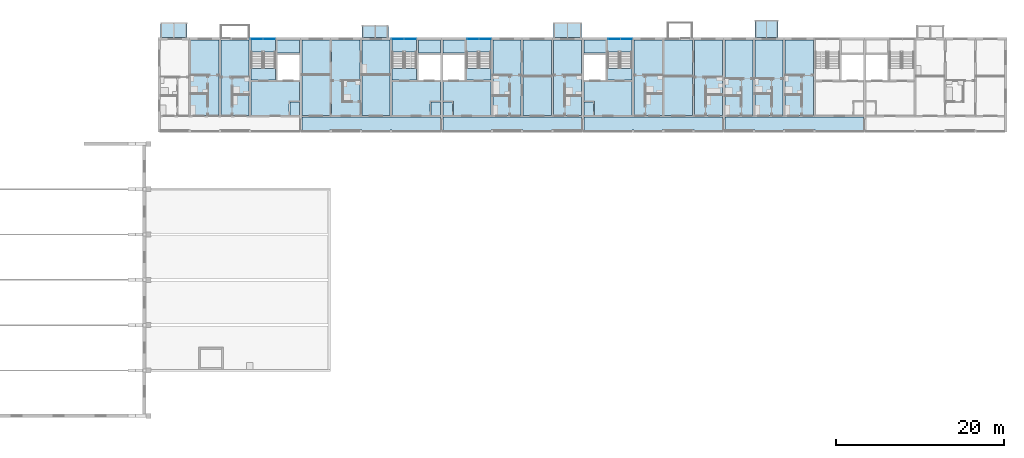
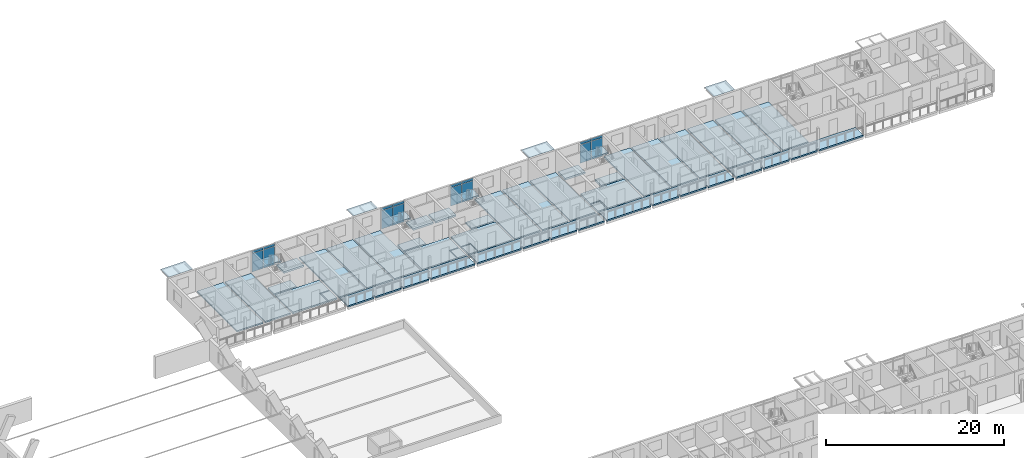
# One storey, part 38 of 115: 42 slabs, 16 plates, 8 elements without a shape of their own.
"""IFC4 building model written with IfcOpenShell, lengths in metres."""

from ifc_helpers import new_model, si_unit, direction, frame, origin, origin_2d, place, context, subcontext, project, spatial, polyline, rectangle, outline, extrude, material, layer, layer_set, type_object, element, aggregate, save


model = new_model("IFC4")

# Units and contexts
model_context = context("Model", 3, precision=1e-05, world=origin(), true_north=direction((0.0, 1.0)))
body_context = subcontext(model_context, "Body", "Model", "MODEL_VIEW")
ifc_project = project(units=[si_unit("LENGTHUNIT", "METRE"), si_unit("AREAUNIT", "SQUARE_METRE"), si_unit("VOLUMEUNIT", "CUBIC_METRE"), si_unit("PLANEANGLEUNIT", "RADIAN"), si_unit("MASSUNIT", "GRAM", prefix="KILO")], contexts=[model_context])

# Site, building, storey
site_placement = place(None, origin())
site = spatial("IfcSite", under=ifc_project, at=site_placement, CompositionType="ELEMENT")
building_placement = place(site_placement, origin())
building = spatial("IfcBuilding", under=site, at=building_placement, Name="Ridgestep Commons", CompositionType="ELEMENT")
storey_placement = place(building_placement, frame((0.0, 0.0, 6.0)))
storey = spatial("IfcBuildingStorey", under=building, at=storey_placement, Name="L02", CompositionType="ELEMENT", Elevation=6.0)

# Slabs
ifc_material_1 = material(Name="Precast concrete C40/50", Category="concrete")
ifc_layer_1 = layer(ifc_material_1, 0.199951171875)
ifc_layer_set_1 = layer_set([ifc_layer_1], Name="Gallery slab 200")
slab_type_1 = type_object("IfcSlabType", Name="Gallery slab 200", PredefinedType="FLOOR", material=ifc_layer_set_1)
slab_1_placement = place(storey_placement, frame((0.0, 0.0, -0.199951171875)))
element("IfcSlab", 1, at=slab_1_placement, inside=storey, type_object=slab_type_1, Name="Gallery slab C2 L02", PredefinedType="FLOOR", context=body_context, shape_type="SweptSolid", body=[
    extrude(outline(polyline([(180.25, 67.800048828125), (163.75, 67.800048828125), (163.75, 66.0), (167.074951171875, 66.0), (167.074951171875, 66.25), (167.324951171875, 66.25), (167.324951171875, 66.0), (170.675048828125, 66.0), (170.675048828125, 66.25), (170.925048828125, 66.25), (170.925048828125, 66.0), (174.27490234375, 66.0), (174.27490234375, 66.25), (174.52490234375, 66.25), (174.52490234375, 66.0), (180.25, 66.0), (180.25, 67.800048828125)])), origin(), (0.0, 0.0, 1.0), 0.199951171875),
])
slab_2_placement = place(storey_placement, frame((0.0, 0.0, -0.199951171875)))
element("IfcSlab", 2, at=slab_2_placement, inside=storey, type_object=slab_type_1, Name="Gallery slab C3 L02", PredefinedType="FLOOR", context=body_context, shape_type="SweptSolid", body=[
    extrude(outline(polyline([(197.050048828125, 67.800048828125), (180.550048828125, 67.800048828125), (180.550048828125, 66.0), (186.27490234375, 66.0), (186.27490234375, 66.25), (186.52490234375, 66.25), (186.52490234375, 66.0), (189.875, 66.0), (189.875, 66.25), (190.125, 66.25), (190.125, 66.0), (193.47509765625, 66.0), (193.47509765625, 66.25), (193.72509765625, 66.25), (193.72509765625, 66.0), (197.050048828125, 66.0), (197.050048828125, 67.800048828125)])), origin(), (0.0, 0.0, 1.0), 0.199951171875),
])
slab_3_placement = place(storey_placement, frame((0.0, 0.0, -0.199951171875)))
element("IfcSlab", 3, at=slab_3_placement, inside=storey, type_object=slab_type_1, Name="Gallery slab C4 L02", PredefinedType="FLOOR", context=body_context, shape_type="SweptSolid", body=[
    extrude(outline(polyline([(213.85009765625, 67.800048828125), (197.35009765625, 67.800048828125), (197.35009765625, 66.0), (203.074951171875, 66.0), (203.074951171875, 66.25), (203.324951171875, 66.25), (203.324951171875, 66.0), (206.675048828125, 66.0), (206.675048828125, 66.25), (206.925048828125, 66.25), (206.925048828125, 66.0), (210.27490234375, 66.0), (210.27490234375, 66.25), (210.52490234375, 66.25), (210.52490234375, 66.0), (213.85009765625, 66.0), (213.85009765625, 67.800048828125)])), origin(), (0.0, 0.0, 1.0), 0.199951171875),
])
slab_4_placement = place(storey_placement, frame((0.0, 0.0, -0.199951171875)))
element("IfcSlab", 4, at=slab_4_placement, inside=storey, type_object=slab_type_1, Name="Gallery slab C5 L02", PredefinedType="FLOOR", context=body_context, shape_type="SweptSolid", body=[
    extrude(outline(polyline([(230.64990234375, 67.800048828125), (214.14990234375, 67.800048828125), (214.14990234375, 66.0), (217.47509765625, 66.0), (217.47509765625, 66.25), (217.72509765625, 66.25), (217.72509765625, 66.0), (221.074951171875, 66.0), (221.074951171875, 66.25), (221.324951171875, 66.25), (221.324951171875, 66.0), (224.675048828125, 66.0), (224.675048828125, 66.25), (224.925048828125, 66.25), (224.925048828125, 66.0), (230.64990234375, 66.0), (230.64990234375, 67.800048828125)])), origin(), (0.0, 0.0, 1.0), 0.199951171875),
])

# Curtain wall, plates
ifc_material_2 = material(Name="Aluminium 6063-T6 and glass", Category="aluminium")
curtain_wall_type = type_object("IfcCurtainWallType", Name="Curtain wall stair strip", PredefinedType="NOTDEFINED", material=ifc_material_2)
curtain_wall_1_placement = place(storey_placement, origin())
curtain_wall_1 = element("IfcCurtainWall", 5, at=curtain_wall_1_placement, inside=storey, type_object=curtain_wall_type, Name="Curtain wall C1C level 02", PredefinedType="NOTDEFINED")
ifc_material_3 = material(Name="Glass laminated 6/16/6 low-emissivity", Category="glass")
ifc_layer_2 = layer(ifc_material_3, 0.028076171875)
ifc_layer_set_2 = layer_set([ifc_layer_2], Name="Glazing panel 28")
plate_type_1 = type_object("IfcPlateType", Name="Glazing panel 28", PredefinedType="CURTAIN_PANEL", material=ifc_layer_set_2)
plate_1_placement = place(storey_placement, frame((158.371337890625, 77.080078125, 0.06005859375), z_axis=(0.0, 0.0, 1.0), x_axis=(1.0, 0.0, 0.0)))
plate_1 = element("IfcPlate", 6, at=plate_1_placement, type_object=plate_type_1, Name="CW1 panel 1.1", PredefinedType="CURTAIN_PANEL", context=body_context, shape_type="SweptSolid", body=[
    extrude(rectangle(XDim=1.422607421875, YDim=0.028076171875, at=origin_2d()), origin(), (0.0, 0.0, 1.0), 2.5),
])
plate_2_placement = place(storey_placement, frame((159.853759765625, 77.080078125, 0.06005859375), z_axis=(0.0, 0.0, 1.0), x_axis=(1.0, 0.0, 0.0)))
plate_2 = element("IfcPlate", 7, at=plate_2_placement, type_object=plate_type_1, Name="CW1 panel 2.1", PredefinedType="CURTAIN_PANEL", context=body_context, shape_type="SweptSolid", body=[
    extrude(rectangle(XDim=1.422607421875, YDim=0.028076171875, at=origin_2d()), origin(), (0.0, 0.0, 1.0), 2.5),
])

curtain_wall_2_placement = place(storey_placement, origin())
curtain_wall_2 = element("IfcCurtainWall", 8, at=curtain_wall_2_placement, inside=storey, type_object=curtain_wall_type, Name="Curtain wall C2C level 02", PredefinedType="NOTDEFINED")
plate_3_placement = place(storey_placement, frame((175.171142578125, 77.080078125, 0.06005859375), z_axis=(0.0, 0.0, 1.0), x_axis=(1.0, 0.0, 0.0)))
plate_3 = element("IfcPlate", 9, at=plate_3_placement, type_object=plate_type_1, Name="CW1 panel 1.1", PredefinedType="CURTAIN_PANEL", context=body_context, shape_type="SweptSolid", body=[
    extrude(rectangle(XDim=1.422607421875, YDim=0.028076171875, at=origin_2d()), origin(), (0.0, 0.0, 1.0), 2.5),
])
plate_4_placement = place(storey_placement, frame((176.65380859375, 77.080078125, 0.06005859375), z_axis=(0.0, 0.0, 1.0), x_axis=(1.0, 0.0, 0.0)))
plate_4 = element("IfcPlate", 10, at=plate_4_placement, type_object=plate_type_1, Name="CW1 panel 2.1", PredefinedType="CURTAIN_PANEL", context=body_context, shape_type="SweptSolid", body=[
    extrude(rectangle(XDim=1.422607421875, YDim=0.028076171875, at=origin_2d()), origin(), (0.0, 0.0, 1.0), 2.5),
])

curtain_wall_3_placement = place(storey_placement, origin())
curtain_wall_3 = element("IfcCurtainWall", 11, at=curtain_wall_3_placement, inside=storey, type_object=curtain_wall_type, Name="Curtain wall C3C level 02", PredefinedType="NOTDEFINED")
plate_5_placement = place(storey_placement, frame((184.146240234375, 77.080078125, 0.06005859375), z_axis=(0.0, 0.0, 1.0), x_axis=(1.0, 0.0, 0.0)))
plate_5 = element("IfcPlate", 12, at=plate_5_placement, type_object=plate_type_1, Name="CW1 panel 1.1", PredefinedType="CURTAIN_PANEL", context=body_context, shape_type="SweptSolid", body=[
    extrude(rectangle(XDim=1.422607421875, YDim=0.028076171875, at=origin_2d()), origin(), (0.0, 0.0, 1.0), 2.5),
])
plate_6_placement = place(storey_placement, frame((185.628662109375, 77.080078125, 0.06005859375), z_axis=(0.0, 0.0, 1.0), x_axis=(1.0, 0.0, 0.0)))
plate_6 = element("IfcPlate", 13, at=plate_6_placement, type_object=plate_type_1, Name="CW1 panel 2.1", PredefinedType="CURTAIN_PANEL", context=body_context, shape_type="SweptSolid", body=[
    extrude(rectangle(XDim=1.422607421875, YDim=0.028076171875, at=origin_2d()), origin(), (0.0, 0.0, 1.0), 2.5),
])

curtain_wall_4_placement = place(storey_placement, origin())
curtain_wall_4 = element("IfcCurtainWall", 14, at=curtain_wall_4_placement, inside=storey, type_object=curtain_wall_type, Name="Curtain wall C4C level 02", PredefinedType="NOTDEFINED")
plate_7_placement = place(storey_placement, frame((200.9462890625, 77.080078125, 0.06005859375), z_axis=(0.0, 0.0, 1.0), x_axis=(1.0, 0.0, 0.0)))
plate_7 = element("IfcPlate", 15, at=plate_7_placement, type_object=plate_type_1, Name="CW1 panel 1.1", PredefinedType="CURTAIN_PANEL", context=body_context, shape_type="SweptSolid", body=[
    extrude(rectangle(XDim=1.422607421875, YDim=0.028076171875, at=origin_2d()), origin(), (0.0, 0.0, 1.0), 2.5),
])
plate_8_placement = place(storey_placement, frame((202.4287109375, 77.080078125, 0.06005859375), z_axis=(0.0, 0.0, 1.0), x_axis=(1.0, 0.0, 0.0)))
plate_8 = element("IfcPlate", 16, at=plate_8_placement, type_object=plate_type_1, Name="CW1 panel 2.1", PredefinedType="CURTAIN_PANEL", context=body_context, shape_type="SweptSolid", body=[
    extrude(rectangle(XDim=1.422607421875, YDim=0.028076171875, at=origin_2d()), origin(), (0.0, 0.0, 1.0), 2.5),
])

# Slabs
ifc_material_4 = material(Name="Precast concrete C50/60", Category="concrete")
ifc_layer_3 = layer(ifc_material_4, 0.199951171875)
ifc_layer_set_3 = layer_set([ifc_layer_3], Name="Hollow-core plank 200")
slab_type_2 = type_object("IfcSlabType", Name="Hollow-core plank 200", PredefinedType="FLOOR", material=ifc_layer_set_3)
slab_5_placement = place(storey_placement, frame((0.0, 0.0, -0.199951171875)))
element("IfcSlab", 17, at=slab_5_placement, inside=storey, type_object=slab_type_2, Name="Floor plank C1T2 L02", PredefinedType="FLOOR", context=body_context, shape_type="SweptSolid", body=[
    extrude(outline(polyline([(153.875, 68.0), (153.875, 77.0), (150.5, 77.0), (150.5, 68.0), (153.875, 68.0)])), origin(), (0.0, 0.0, 1.0), 0.199951171875),
])
slab_6_placement = place(storey_placement, frame((0.0, 0.0, -0.199951171875)))
element("IfcSlab", 18, at=slab_6_placement, inside=storey, type_object=slab_type_2, Name="Floor plank C1T3 L02", PredefinedType="FLOOR", context=body_context, shape_type="SweptSolid", body=[
    extrude(outline(polyline([(157.47509765625, 68.0), (157.47509765625, 77.0), (154.125, 77.0), (154.125, 68.0), (157.47509765625, 68.0)])), origin(), (0.0, 0.0, 1.0), 0.199951171875),
])
slab_7_placement = place(storey_placement, frame((0.0, 0.0, -0.199951171875)))
element("IfcSlab", 19, at=slab_7_placement, inside=storey, type_object=slab_type_2, Name="Floor plank C2T1 L02", PredefinedType="FLOOR", context=body_context, shape_type="SweptSolid", body=[
    extrude(outline(polyline([(167.10009765625, 68.0), (167.10009765625, 77.0), (163.75, 77.0), (163.75, 68.0), (167.10009765625, 68.0)])), origin(), (0.0, 0.0, 1.0), 0.199951171875),
])
slab_8_placement = place(storey_placement, frame((0.0, 0.0, -0.199951171875)))
element("IfcSlab", 20, at=slab_8_placement, inside=storey, type_object=slab_type_2, Name="Floor plank C2T2 L02", PredefinedType="FLOOR", context=body_context, shape_type="SweptSolid", body=[
    extrude(outline(polyline([(170.699951171875, 68.0), (170.699951171875, 77.0), (167.300048828125, 77.0), (167.300048828125, 68.0), (170.699951171875, 68.0)])), origin(), (0.0, 0.0, 1.0), 0.199951171875),
])
slab_9_placement = place(storey_placement, frame((0.0, 0.0, -0.199951171875)))
element("IfcSlab", 21, at=slab_9_placement, inside=storey, type_object=slab_type_2, Name="Floor plank C2T3 L02", PredefinedType="FLOOR", context=body_context, shape_type="SweptSolid", body=[
    extrude(outline(polyline([(174.27490234375, 68.0), (174.27490234375, 77.0), (170.89990234375, 77.0), (170.89990234375, 68.0), (174.27490234375, 68.0)])), origin(), (0.0, 0.0, 1.0), 0.199951171875),
])
slab_10_placement = place(storey_placement, frame((0.0, 0.0, -0.199951171875)))
element("IfcSlab", 22, at=slab_10_placement, inside=storey, type_object=slab_type_2, Name="Floor plank C3T3 L02", PredefinedType="FLOOR", context=body_context, shape_type="SweptSolid", body=[
    extrude(outline(polyline([(189.875, 68.0), (189.875, 77.0), (186.52490234375, 77.0), (186.52490234375, 68.0), (189.875, 68.0)])), origin(), (0.0, 0.0, 1.0), 0.199951171875),
])
slab_11_placement = place(storey_placement, frame((0.0, 0.0, -0.199951171875)))
element("IfcSlab", 23, at=slab_11_placement, inside=storey, type_object=slab_type_2, Name="Floor plank C3T2 L02", PredefinedType="FLOOR", context=body_context, shape_type="SweptSolid", body=[
    extrude(outline(polyline([(193.47509765625, 68.0), (193.47509765625, 77.0), (190.125, 77.0), (190.125, 68.0), (193.47509765625, 68.0)])), origin(), (0.0, 0.0, 1.0), 0.199951171875),
])
slab_12_placement = place(storey_placement, frame((0.0, 0.0, -0.199951171875)))
element("IfcSlab", 24, at=slab_12_placement, inside=storey, type_object=slab_type_2, Name="Floor plank C3T1 L02", PredefinedType="FLOOR", context=body_context, shape_type="SweptSolid", body=[
    extrude(outline(polyline([(197.050048828125, 68.0), (197.050048828125, 77.0), (193.72509765625, 77.0), (193.72509765625, 68.0), (197.050048828125, 68.0)])), origin(), (0.0, 0.0, 1.0), 0.199951171875),
])
slab_13_placement = place(storey_placement, frame((0.0, 0.0, -0.199951171875)))
element("IfcSlab", 25, at=slab_13_placement, inside=storey, type_object=slab_type_2, Name="Floor plank C4T3 L02", PredefinedType="FLOOR", context=body_context, shape_type="SweptSolid", body=[
    extrude(outline(polyline([(206.699951171875, 68.0), (206.699951171875, 77.0), (203.324951171875, 77.0), (203.324951171875, 68.0), (206.699951171875, 68.0)])), origin(), (0.0, 0.0, 1.0), 0.199951171875),
])
slab_14_placement = place(storey_placement, frame((0.0, 0.0, -0.199951171875)))
element("IfcSlab", 26, at=slab_14_placement, inside=storey, type_object=slab_type_2, Name="Floor plank C4T2 L02", PredefinedType="FLOOR", context=body_context, shape_type="SweptSolid", body=[
    extrude(outline(polyline([(210.300048828125, 68.0), (210.300048828125, 77.0), (206.89990234375, 77.0), (206.89990234375, 68.0), (210.300048828125, 68.0)])), origin(), (0.0, 0.0, 1.0), 0.199951171875),
])
slab_15_placement = place(storey_placement, frame((0.0, 0.0, -0.199951171875)))
element("IfcSlab", 27, at=slab_15_placement, inside=storey, type_object=slab_type_2, Name="Floor plank C4T1 L02", PredefinedType="FLOOR", context=body_context, shape_type="SweptSolid", body=[
    extrude(outline(polyline([(213.85009765625, 68.0), (213.85009765625, 77.0), (210.5, 77.0), (210.5, 68.0), (213.85009765625, 68.0)])), origin(), (0.0, 0.0, 1.0), 0.199951171875),
])
slab_16_placement = place(storey_placement, frame((0.0, 0.0, -0.199951171875)))
element("IfcSlab", 28, at=slab_16_placement, inside=storey, type_object=slab_type_2, Name="Floor plank C5T1 L02", PredefinedType="FLOOR", context=body_context, shape_type="SweptSolid", body=[
    extrude(outline(polyline([(217.47509765625, 68.0), (217.47509765625, 77.0), (214.14990234375, 77.0), (214.14990234375, 68.0), (217.47509765625, 68.0)])), origin(), (0.0, 0.0, 1.0), 0.199951171875),
])
slab_17_placement = place(storey_placement, frame((0.0, 0.0, -0.199951171875)))
element("IfcSlab", 29, at=slab_17_placement, inside=storey, type_object=slab_type_2, Name="Floor plank C5T2 L02", PredefinedType="FLOOR", context=body_context, shape_type="SweptSolid", body=[
    extrude(outline(polyline([(221.074951171875, 68.0), (221.074951171875, 77.0), (217.72509765625, 77.0), (217.72509765625, 68.0), (221.074951171875, 68.0)])), origin(), (0.0, 0.0, 1.0), 0.199951171875),
])
slab_18_placement = place(storey_placement, frame((0.0, 0.0, -0.199951171875)))
element("IfcSlab", 30, at=slab_18_placement, inside=storey, type_object=slab_type_2, Name="Floor plank C5T3 L02", PredefinedType="FLOOR", context=body_context, shape_type="SweptSolid", body=[
    extrude(outline(polyline([(224.675048828125, 68.0), (224.675048828125, 77.0), (221.324951171875, 77.0), (221.324951171875, 68.0), (224.675048828125, 68.0)])), origin(), (0.0, 0.0, 1.0), 0.199951171875),
])
ifc_material_5 = material(Name="Precast concrete C50/60", Category="concrete")
ifc_layer_4 = layer(ifc_material_5, 0.25)
ifc_layer_set_4 = layer_set([ifc_layer_4], Name="Hollow-core plank 250")
slab_type_3 = type_object("IfcSlabType", Name="Hollow-core plank 250", PredefinedType="FLOOR", material=ifc_layer_set_4)
slab_19_placement = place(storey_placement, frame((0.0, 0.0, -0.25)))
element("IfcSlab", 31, at=slab_19_placement, inside=storey, type_object=slab_type_3, Name="Floor plank C1C L02", PredefinedType="FLOOR", context=body_context, shape_type="SweptSolid", body=[
    extrude(outline(polyline([(162.320068359375, 69.719970703125), (163.449951171875, 69.719970703125), (163.449951171875, 72.0), (157.72509765625, 72.0), (157.72509765625, 68.0), (162.199951171875, 68.0), (162.199951171875, 69.719970703125), (162.320068359375, 69.719970703125)])), origin(), (0.0, 0.0, 1.0), 0.25),
])
slab_20_placement = place(storey_placement, frame((0.0, 0.0, -0.25)))
element("IfcSlab", 32, at=slab_20_placement, inside=storey, type_object=slab_type_3, Name="Floor plank C1C L02", PredefinedType="FLOOR", context=body_context, shape_type="SweptSolid", body=[
    extrude(outline(polyline([(163.449951171875, 75.39990234375), (163.449951171875, 77.0), (160.824951171875, 77.0), (160.824951171875, 75.39990234375), (163.449951171875, 75.39990234375)])), origin(), (0.0, 0.0, 1.0), 0.25),
])
slab_21_placement = place(storey_placement, frame((0.0, 0.0, -0.25)))
element("IfcSlab", 33, at=slab_21_placement, inside=storey, type_object=slab_type_3, Name="Floor plank C1C L02", PredefinedType="FLOOR", context=body_context, shape_type="SweptSolid", body=[
    extrude(outline(polyline([(160.625, 72.199951171875), (160.625, 73.60009765625), (157.72509765625, 73.60009765625), (157.72509765625, 72.199951171875), (160.625, 72.199951171875)])), origin(), (0.0, 0.0, 1.0), 0.25),
])
slab_22_placement = place(storey_placement, frame((0.0, 0.0, -0.25)))
element("IfcSlab", 34, at=slab_22_placement, inside=storey, type_object=slab_type_3, Name="Floor plank C1C L02", PredefinedType="FLOOR", context=body_context, shape_type="SweptSolid", body=[
    extrude(outline(polyline([(162.320068359375, 68.0), (163.449951171875, 68.0), (163.449951171875, 69.60009765625), (162.320068359375, 69.60009765625), (162.320068359375, 68.0)])), origin(), (0.0, 0.0, 1.0), 0.25),
])
slab_23_placement = place(storey_placement, frame((0.0, 0.0, -0.25)))
element("IfcSlab", 35, at=slab_23_placement, inside=storey, type_object=slab_type_3, Name="Floor plank C2C L02", PredefinedType="FLOOR", context=body_context, shape_type="SweptSolid", body=[
    extrude(outline(polyline([(179.1201171875, 69.719970703125), (180.25, 69.719970703125), (180.25, 72.0), (174.52490234375, 72.0), (174.52490234375, 68.0), (179.0, 68.0), (179.0, 69.719970703125), (179.1201171875, 69.719970703125)])), origin(), (0.0, 0.0, 1.0), 0.25),
])
slab_24_placement = place(storey_placement, frame((0.0, 0.0, -0.25)))
element("IfcSlab", 36, at=slab_24_placement, inside=storey, type_object=slab_type_3, Name="Floor plank C2C L02", PredefinedType="FLOOR", context=body_context, shape_type="SweptSolid", body=[
    extrude(outline(polyline([(180.25, 75.39990234375), (180.25, 77.0), (177.625, 77.0), (177.625, 75.39990234375), (180.25, 75.39990234375)])), origin(), (0.0, 0.0, 1.0), 0.25),
])
slab_25_placement = place(storey_placement, frame((0.0, 0.0, -0.25)))
element("IfcSlab", 37, at=slab_25_placement, inside=storey, type_object=slab_type_3, Name="Floor plank C2C L02", PredefinedType="FLOOR", context=body_context, shape_type="SweptSolid", body=[
    extrude(outline(polyline([(177.425048828125, 72.199951171875), (177.425048828125, 73.60009765625), (174.52490234375, 73.60009765625), (174.52490234375, 72.199951171875), (177.425048828125, 72.199951171875)])), origin(), (0.0, 0.0, 1.0), 0.25),
])
slab_26_placement = place(storey_placement, frame((0.0, 0.0, -0.25)))
element("IfcSlab", 38, at=slab_26_placement, inside=storey, type_object=slab_type_3, Name="Floor plank C2C L02", PredefinedType="FLOOR", context=body_context, shape_type="SweptSolid", body=[
    extrude(outline(polyline([(179.1201171875, 68.0), (180.25, 68.0), (180.25, 69.60009765625), (179.1201171875, 69.60009765625), (179.1201171875, 68.0)])), origin(), (0.0, 0.0, 1.0), 0.25),
])
slab_27_placement = place(storey_placement, frame((0.0, 0.0, -0.25)))
element("IfcSlab", 39, at=slab_27_placement, inside=storey, type_object=slab_type_3, Name="Floor plank C3C L02", PredefinedType="FLOOR", context=body_context, shape_type="SweptSolid", body=[
    extrude(outline(polyline([(181.800048828125, 68.0), (186.27490234375, 68.0), (186.27490234375, 72.0), (180.550048828125, 72.0), (180.550048828125, 69.719970703125), (181.679931640625, 69.719970703125), (181.800048828125, 69.719970703125), (181.800048828125, 68.0)])), origin(), (0.0, 0.0, 1.0), 0.25),
])
slab_28_placement = place(storey_placement, frame((0.0, 0.0, -0.25)))
element("IfcSlab", 40, at=slab_28_placement, inside=storey, type_object=slab_type_3, Name="Floor plank C3C L02", PredefinedType="FLOOR", context=body_context, shape_type="SweptSolid", body=[
    extrude(outline(polyline([(183.175048828125, 77.0), (180.550048828125, 77.0), (180.550048828125, 75.39990234375), (183.175048828125, 75.39990234375), (183.175048828125, 77.0)])), origin(), (0.0, 0.0, 1.0), 0.25),
])
slab_29_placement = place(storey_placement, frame((0.0, 0.0, -0.25)))
element("IfcSlab", 41, at=slab_29_placement, inside=storey, type_object=slab_type_3, Name="Floor plank C3C L02", PredefinedType="FLOOR", context=body_context, shape_type="SweptSolid", body=[
    extrude(outline(polyline([(186.27490234375, 72.199951171875), (186.27490234375, 73.60009765625), (183.375, 73.60009765625), (183.375, 72.199951171875), (186.27490234375, 72.199951171875)])), origin(), (0.0, 0.0, 1.0), 0.25),
])
slab_30_placement = place(storey_placement, frame((0.0, 0.0, -0.25)))
element("IfcSlab", 42, at=slab_30_placement, inside=storey, type_object=slab_type_3, Name="Floor plank C3C L02", PredefinedType="FLOOR", context=body_context, shape_type="SweptSolid", body=[
    extrude(outline(polyline([(181.679931640625, 69.60009765625), (180.550048828125, 69.60009765625), (180.550048828125, 68.0), (181.679931640625, 68.0), (181.679931640625, 69.60009765625)])), origin(), (0.0, 0.0, 1.0), 0.25),
])
slab_31_placement = place(storey_placement, frame((0.0, 0.0, -0.25)))
element("IfcSlab", 43, at=slab_31_placement, inside=storey, type_object=slab_type_3, Name="Floor plank C4C L02", PredefinedType="FLOOR", context=body_context, shape_type="SweptSolid", body=[
    extrude(outline(polyline([(198.60009765625, 68.0), (203.074951171875, 68.0), (203.074951171875, 72.0), (197.35009765625, 72.0), (197.35009765625, 69.719970703125), (198.47998046875, 69.719970703125), (198.60009765625, 69.719970703125), (198.60009765625, 68.0)])), origin(), (0.0, 0.0, 1.0), 0.25),
])
slab_32_placement = place(storey_placement, frame((0.0, 0.0, -0.25)))
element("IfcSlab", 44, at=slab_32_placement, inside=storey, type_object=slab_type_3, Name="Floor plank C4C L02", PredefinedType="FLOOR", context=body_context, shape_type="SweptSolid", body=[
    extrude(outline(polyline([(199.97509765625, 77.0), (197.35009765625, 77.0), (197.35009765625, 75.39990234375), (199.97509765625, 75.39990234375), (199.97509765625, 77.0)])), origin(), (0.0, 0.0, 1.0), 0.25),
])
slab_33_placement = place(storey_placement, frame((0.0, 0.0, -0.25)))
element("IfcSlab", 45, at=slab_33_placement, inside=storey, type_object=slab_type_3, Name="Floor plank C4C L02", PredefinedType="FLOOR", context=body_context, shape_type="SweptSolid", body=[
    extrude(outline(polyline([(203.074951171875, 72.199951171875), (203.074951171875, 73.60009765625), (200.175048828125, 73.60009765625), (200.175048828125, 72.199951171875), (203.074951171875, 72.199951171875)])), origin(), (0.0, 0.0, 1.0), 0.25),
])
slab_34_placement = place(storey_placement, frame((0.0, 0.0, -0.25)))
element("IfcSlab", 46, at=slab_34_placement, inside=storey, type_object=slab_type_3, Name="Floor plank C4C L02", PredefinedType="FLOOR", context=body_context, shape_type="SweptSolid", body=[
    extrude(outline(polyline([(198.47998046875, 69.60009765625), (197.35009765625, 69.60009765625), (197.35009765625, 68.0), (198.47998046875, 68.0), (198.47998046875, 69.60009765625)])), origin(), (0.0, 0.0, 1.0), 0.25),
])

# Plate
ifc_material_6 = material(Name="Aluminium 6063-T6 and mineral wool", Category="aluminium")
ifc_layer_5 = layer(ifc_material_6, 0.0400390625)
ifc_layer_set_5 = layer_set([ifc_layer_5], Name="Spandrel panel 40")
plate_type_2 = type_object("IfcPlateType", Name="Spandrel panel 40", PredefinedType="CURTAIN_PANEL", material=ifc_layer_set_5)
plate_9_placement = place(storey_placement, frame((158.371337890625, 77.080078125, 2.6201171875), z_axis=(0.0, 0.0, 1.0), x_axis=(1.0, 0.0, 0.0)))
plate_9 = element("IfcPlate", 47, at=plate_9_placement, type_object=plate_type_2, Name="CW1 panel 1.2", PredefinedType="CURTAIN_PANEL", context=body_context, shape_type="SweptSolid", body=[
    extrude(rectangle(XDim=1.422607421875, YDim=0.0400390625, at=origin_2d()), origin(), (0.0, 0.0, 1.0), 0.320068359375),
])

plate_10_placement = place(storey_placement, frame((159.853759765625, 77.080078125, 2.6201171875), z_axis=(0.0, 0.0, 1.0), x_axis=(1.0, 0.0, 0.0)))
plate_10 = element("IfcPlate", 48, at=plate_10_placement, type_object=plate_type_2, Name="CW1 panel 2.2", PredefinedType="CURTAIN_PANEL", context=body_context, shape_type="SweptSolid", body=[
    extrude(rectangle(XDim=1.422607421875, YDim=0.0400390625, at=origin_2d()), origin(), (0.0, 0.0, 1.0), 0.320068359375),
])

aggregate(curtain_wall_1, [plate_1, plate_9, plate_2, plate_10])

plate_11_placement = place(storey_placement, frame((175.171142578125, 77.080078125, 2.6201171875), z_axis=(0.0, 0.0, 1.0), x_axis=(1.0, 0.0, 0.0)))
plate_11 = element("IfcPlate", 49, at=plate_11_placement, type_object=plate_type_2, Name="CW1 panel 1.2", PredefinedType="CURTAIN_PANEL", context=body_context, shape_type="SweptSolid", body=[
    extrude(rectangle(XDim=1.422607421875, YDim=0.0400390625, at=origin_2d()), origin(), (0.0, 0.0, 1.0), 0.320068359375),
])

plate_12_placement = place(storey_placement, frame((176.65380859375, 77.080078125, 2.6201171875), z_axis=(0.0, 0.0, 1.0), x_axis=(1.0, 0.0, 0.0)))
plate_12 = element("IfcPlate", 50, at=plate_12_placement, type_object=plate_type_2, Name="CW1 panel 2.2", PredefinedType="CURTAIN_PANEL", context=body_context, shape_type="SweptSolid", body=[
    extrude(rectangle(XDim=1.422607421875, YDim=0.0400390625, at=origin_2d()), origin(), (0.0, 0.0, 1.0), 0.320068359375),
])

aggregate(curtain_wall_2, [plate_3, plate_11, plate_4, plate_12])

plate_13_placement = place(storey_placement, frame((184.146240234375, 77.080078125, 2.6201171875), z_axis=(0.0, 0.0, 1.0), x_axis=(1.0, 0.0, 0.0)))
plate_13 = element("IfcPlate", 51, at=plate_13_placement, type_object=plate_type_2, Name="CW1 panel 1.2", PredefinedType="CURTAIN_PANEL", context=body_context, shape_type="SweptSolid", body=[
    extrude(rectangle(XDim=1.422607421875, YDim=0.0400390625, at=origin_2d()), origin(), (0.0, 0.0, 1.0), 0.320068359375),
])

plate_14_placement = place(storey_placement, frame((185.628662109375, 77.080078125, 2.6201171875), z_axis=(0.0, 0.0, 1.0), x_axis=(1.0, 0.0, 0.0)))
plate_14 = element("IfcPlate", 52, at=plate_14_placement, type_object=plate_type_2, Name="CW1 panel 2.2", PredefinedType="CURTAIN_PANEL", context=body_context, shape_type="SweptSolid", body=[
    extrude(rectangle(XDim=1.422607421875, YDim=0.0400390625, at=origin_2d()), origin(), (0.0, 0.0, 1.0), 0.320068359375),
])

aggregate(curtain_wall_3, [plate_5, plate_13, plate_6, plate_14])

plate_15_placement = place(storey_placement, frame((200.9462890625, 77.080078125, 2.6201171875), z_axis=(0.0, 0.0, 1.0), x_axis=(1.0, 0.0, 0.0)))
plate_15 = element("IfcPlate", 53, at=plate_15_placement, type_object=plate_type_2, Name="CW1 panel 1.2", PredefinedType="CURTAIN_PANEL", context=body_context, shape_type="SweptSolid", body=[
    extrude(rectangle(XDim=1.422607421875, YDim=0.0400390625, at=origin_2d()), origin(), (0.0, 0.0, 1.0), 0.320068359375),
])

plate_16_placement = place(storey_placement, frame((202.4287109375, 77.080078125, 2.6201171875), z_axis=(0.0, 0.0, 1.0), x_axis=(1.0, 0.0, 0.0)))
plate_16 = element("IfcPlate", 54, at=plate_16_placement, type_object=plate_type_2, Name="CW1 panel 2.2", PredefinedType="CURTAIN_PANEL", context=body_context, shape_type="SweptSolid", body=[
    extrude(rectangle(XDim=1.422607421875, YDim=0.0400390625, at=origin_2d()), origin(), (0.0, 0.0, 1.0), 0.320068359375),
])

aggregate(curtain_wall_4, [plate_7, plate_15, plate_8, plate_16])

# Stair, slab
ifc_material_7 = material(Name="Precast concrete C40/50", Category="concrete")
stair_type = type_object("IfcStairType", Name="Escape stair 1400", PredefinedType="HALF_TURN_STAIR", material=ifc_material_7)
stair_1_placement = place(storey_placement, origin())
stair_1 = element("IfcStair", 55, at=stair_1_placement, inside=storey, type_object=stair_type, Name="L02 Escape stair C1C", PredefinedType="HALF_TURN_STAIR")
ifc_material_8 = material(Name="Precast concrete C40/50", Category="concrete")
ifc_layer_6 = layer(ifc_material_8, 0.199951171875)
ifc_layer_set_6 = layer_set([ifc_layer_6], Name="Stair landing 200")
slab_type_4 = type_object("IfcSlabType", Name="Stair landing 200", PredefinedType="LANDING", material=ifc_layer_set_6)
slab_35_placement = place(storey_placement, frame((0.0, 0.0, 1.300048828125)))
slab_35 = element("IfcSlab", 56, at=slab_35_placement, type_object=slab_type_4, Name="C1C landing 1", PredefinedType="LANDING", context=body_context, shape_type="SweptSolid", body=[
    extrude(outline(polyline([(160.625, 75.56005859375), (160.625, 77.0), (157.72509765625, 77.0), (157.72509765625, 75.56005859375), (160.625, 75.56005859375)])), origin(), (0.0, 0.0, 1.0), 0.199951171875),
])
aggregate(stair_1, [slab_35])

stair_2_placement = place(storey_placement, origin())
stair_2 = element("IfcStair", 57, at=stair_2_placement, inside=storey, type_object=stair_type, Name="L02 Escape stair C2C", PredefinedType="HALF_TURN_STAIR")
slab_36_placement = place(storey_placement, frame((0.0, 0.0, 1.300048828125)))
slab_36 = element("IfcSlab", 58, at=slab_36_placement, type_object=slab_type_4, Name="C2C landing 1", PredefinedType="LANDING", context=body_context, shape_type="SweptSolid", body=[
    extrude(outline(polyline([(177.425048828125, 75.56005859375), (177.425048828125, 77.0), (174.52490234375, 77.0), (174.52490234375, 75.56005859375), (177.425048828125, 75.56005859375)])), origin(), (0.0, 0.0, 1.0), 0.199951171875),
])
aggregate(stair_2, [slab_36])

stair_3_placement = place(storey_placement, origin())
stair_3 = element("IfcStair", 59, at=stair_3_placement, inside=storey, type_object=stair_type, Name="L02 Escape stair C3C", PredefinedType="HALF_TURN_STAIR")
slab_37_placement = place(storey_placement, frame((0.0, 0.0, 1.300048828125)))
slab_37 = element("IfcSlab", 60, at=slab_37_placement, type_object=slab_type_4, Name="C3C landing 1", PredefinedType="LANDING", context=body_context, shape_type="SweptSolid", body=[
    extrude(outline(polyline([(186.27490234375, 75.56005859375), (186.27490234375, 77.0), (183.375, 77.0), (183.375, 75.56005859375), (186.27490234375, 75.56005859375)])), origin(), (0.0, 0.0, 1.0), 0.199951171875),
])
aggregate(stair_3, [slab_37])

stair_4_placement = place(storey_placement, origin())
stair_4 = element("IfcStair", 61, at=stair_4_placement, inside=storey, type_object=stair_type, Name="L02 Escape stair C4C", PredefinedType="HALF_TURN_STAIR")
slab_38_placement = place(storey_placement, frame((0.0, 0.0, 1.300048828125)))
slab_38 = element("IfcSlab", 62, at=slab_38_placement, type_object=slab_type_4, Name="C4C landing 1", PredefinedType="LANDING", context=body_context, shape_type="SweptSolid", body=[
    extrude(outline(polyline([(203.074951171875, 75.56005859375), (203.074951171875, 77.0), (200.175048828125, 77.0), (200.175048828125, 75.56005859375), (203.074951171875, 75.56005859375)])), origin(), (0.0, 0.0, 1.0), 0.199951171875),
])
aggregate(stair_4, [slab_38])

# Slabs
ifc_material_9 = material(Name="Weathering steel S355J2W", Category="steel")
ifc_layer_7 = layer(ifc_material_9, 0.010009765625)
ifc_layer_set_7 = layer_set([ifc_layer_7], Name="Tray 2.8 x 2.1")
slab_type_5 = type_object("IfcSlabType", Name="Tray 2.8 x 2.1", PredefinedType="FLOOR", material=ifc_layer_set_7)
slab_39_placement = place(storey_placement, frame((0.0, 0.0, 2.989990234375)))
element("IfcSlab", 63, at=slab_39_placement, inside=storey, type_object=slab_type_5, Name="Tray deck C5T2-03", PredefinedType="FLOOR", context=body_context, shape_type="SweptSolid", body=[
    extrude(outline(polyline([(217.72998046875, 77.25), (220.469970703125, 77.25), (220.469970703125, 79.35009765625), (217.72998046875, 79.35009765625), (217.72998046875, 77.25)])), origin(), (0.0, 0.0, 1.0), 0.010009765625),
])
ifc_material_10 = material(Name="Weathering steel S355J2W", Category="steel")
ifc_layer_8 = layer(ifc_material_10, 0.010009765625)
ifc_layer_set_8 = layer_set([ifc_layer_8], Name="Tray 3.2 x 1.5")
slab_type_6 = type_object("IfcSlabType", Name="Tray 3.2 x 1.5", PredefinedType="FLOOR", material=ifc_layer_set_8)
slab_40_placement = place(storey_placement, frame((0.0, 0.0, 2.989990234375)))
element("IfcSlab", 64, at=slab_40_placement, inside=storey, type_object=slab_type_6, Name="Tray deck C2T3-03", PredefinedType="FLOOR", context=body_context, shape_type="SweptSolid", body=[
    extrude(outline(polyline([(170.929931640625, 77.25), (174.070068359375, 77.25), (174.070068359375, 78.75), (170.929931640625, 78.75), (170.929931640625, 77.25)])), origin(), (0.0, 0.0, 1.0), 0.010009765625),
])
ifc_material_11 = material(Name="Weathering steel S355J2W", Category="steel")
ifc_layer_9 = layer(ifc_material_11, 0.010009765625)
ifc_layer_set_9 = layer_set([ifc_layer_9], Name="Tray 3.2 x 1.8")
slab_type_7 = type_object("IfcSlabType", Name="Tray 3.2 x 1.8", PredefinedType="FLOOR", material=ifc_layer_set_9)
slab_41_placement = place(storey_placement, frame((0.0, 0.0, 2.989990234375)))
element("IfcSlab", 65, at=slab_41_placement, inside=storey, type_object=slab_type_7, Name="Tray deck C1T1-03", PredefinedType="FLOOR", context=body_context, shape_type="SweptSolid", body=[
    extrude(outline(polyline([(146.929931640625, 77.25), (150.070068359375, 77.25), (150.070068359375, 79.050048828125), (146.929931640625, 79.050048828125), (146.929931640625, 77.25)])), origin(), (0.0, 0.0, 1.0), 0.010009765625),
])
ifc_material_12 = material(Name="Weathering steel S355J2W", Category="steel")
ifc_layer_10 = layer(ifc_material_12, 0.010009765625)
ifc_layer_set_10 = layer_set([ifc_layer_10], Name="Tray 3.4 x 1.8")
slab_type_8 = type_object("IfcSlabType", Name="Tray 3.4 x 1.8", PredefinedType="FLOOR", material=ifc_layer_set_10)
slab_42_placement = place(storey_placement, frame((0.0, 0.0, 2.989990234375)))
element("IfcSlab", 66, at=slab_42_placement, inside=storey, type_object=slab_type_8, Name="Tray deck C3T1-03", PredefinedType="FLOOR", context=body_context, shape_type="SweptSolid", body=[
    extrude(outline(polyline([(193.72998046875, 77.25), (197.070068359375, 77.25), (197.070068359375, 79.050048828125), (193.72998046875, 79.050048828125), (193.72998046875, 77.25)])), origin(), (0.0, 0.0, 1.0), 0.010009765625),
])

save(model, "model.ifc")
